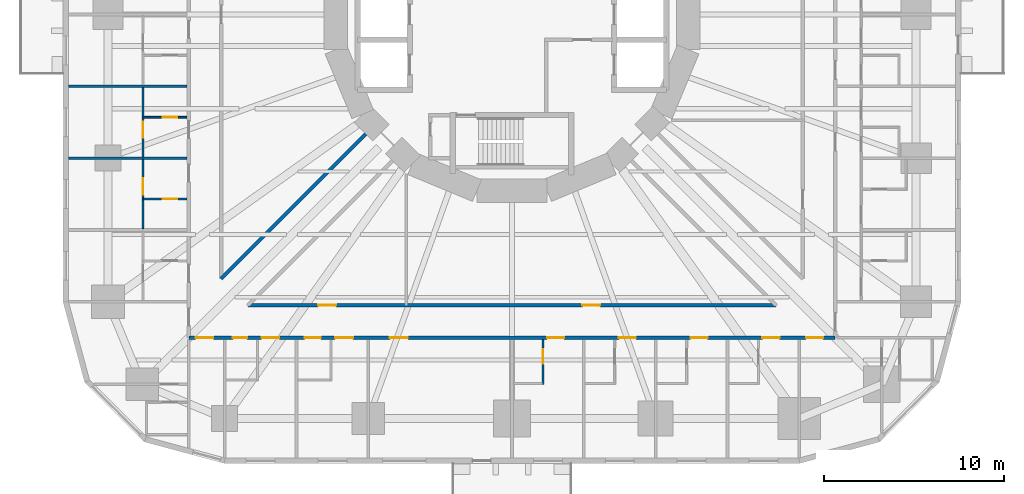
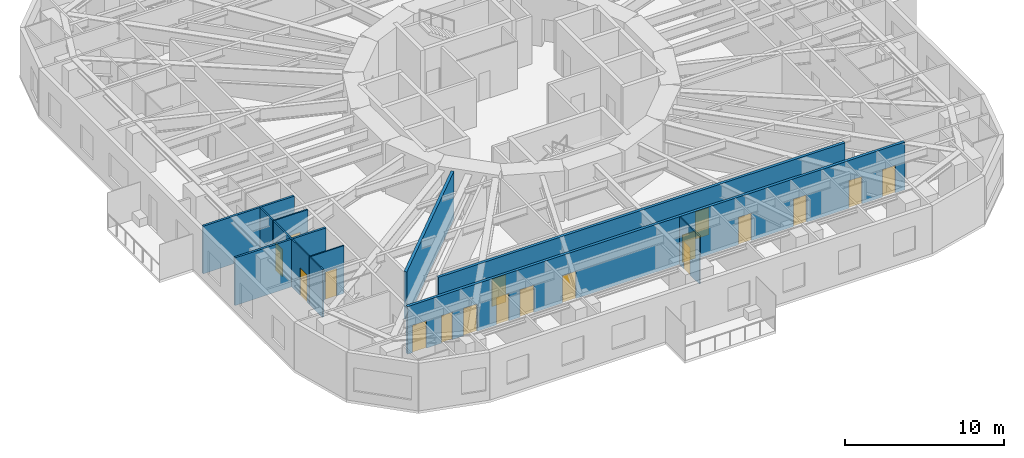
# One storey, part 5 of 14: 18 doors, 12 walls, 18 openings.
"""IFC4 building model written with IfcOpenShell, lengths in metres."""

from ifc_helpers import new_model, si_unit, direction, frame, frame_2d, origin, place, context, subcontext, project, spatial, rectangle, extrude, material, layer, layer_set, type_object, element, fill, save


model = new_model("IFC4")

# Units and contexts
model_context = context("Model", 3, precision=1e-05, world=origin(), true_north=direction((0.0, 1.0)))
body_context = subcontext(model_context, "Body", "Model", "MODEL_VIEW")
ifc_project = project(units=[si_unit("LENGTHUNIT", "METRE"), si_unit("AREAUNIT", "SQUARE_METRE"), si_unit("VOLUMEUNIT", "CUBIC_METRE"), si_unit("PLANEANGLEUNIT", "RADIAN"), si_unit("MASSUNIT", "GRAM", prefix="KILO")], contexts=[model_context])

# Site, building, storey
site_placement = place(None, origin())
site = spatial("IfcSite", under=ifc_project, at=site_placement, CompositionType="ELEMENT")
building_placement = place(site_placement, origin())
building = spatial("IfcBuilding", under=site, at=building_placement, Name="Nakasero Lantern House", CompositionType="ELEMENT")
storey_placement = place(building_placement, frame((0.0, 0.0, 50.64990234375)))
storey = spatial("IfcBuildingStorey", under=building, at=storey_placement, Name="L12", CompositionType="ELEMENT", Elevation=50.64990234375)

# Wall, openings, doors
ifc_material_1 = material(Name="Blockwork", Category="masonry")
ifc_layer_1 = layer(ifc_material_1, 0.199951171875)
ifc_layer_set_1 = layer_set([ifc_layer_1], Name="Corridor wall 200")
wall_type_1 = type_object("IfcWallType", Name="Corridor wall 200", PredefinedType="PARTITIONING", material=ifc_layer_set_1)
wall_1_placement = place(storey_placement, frame((-18.0, -18.0, 0.0), z_axis=(0.0, 0.0, 1.0), x_axis=(1.0, 0.0, 0.0)))
wall_1 = element("IfcWall", 1, at=wall_1_placement, inside=storey, type_object=wall_type_1, Name="Corridor wall L12 CW3", PredefinedType="PARTITIONING", context=body_context, shape_type="SweptSolid", body=[
    extrude(rectangle(XDim=36.0, YDim=0.199951171875, at=frame_2d((18.0, 0.0))), origin(), (0.0, 0.0, 1.0), 3.650146484375),
])
opening_1_placement = place(wall_1_placement, frame((0.375, 0.0, 0.0)))
opening_1 = element("IfcOpeningElement", 2, at=opening_1_placement, cuts=wall_1, Name="Opening D07", PredefinedType="OPENING", context=body_context, shape_type="SweptSolid", body=[
    extrude(rectangle(XDim=1.0, YDim=2.10009765625, at=frame_2d((0.5, 1.050048828125))), frame((0.0, 0.119873046875, 0.0), z_axis=(0.0, -1.0, 0.0), x_axis=(1.0, 0.0, 0.0)), (0.0, 0.0, 1.0), 0.239990234375),
])
opening_2_placement = place(wall_1_placement, frame((2.449951171875, 0.0, 0.0)))
opening_2 = element("IfcOpeningElement", 3, at=opening_2_placement, cuts=wall_1, Name="Opening D15", PredefinedType="OPENING", context=body_context, shape_type="SweptSolid", body=[
    extrude(rectangle(XDim=0.800048828125, YDim=2.10009765625, at=frame_2d((0.39990234375, 1.050048828125))), frame((0.0, 0.119873046875, 0.0), z_axis=(0.0, -1.0, 0.0), x_axis=(1.0, 0.0, 0.0)), (0.0, 0.0, 1.0), 0.239990234375),
])
opening_3_placement = place(wall_1_placement, frame((4.050048828125, 0.0, 0.0)))
opening_3 = element("IfcOpeningElement", 4, at=opening_3_placement, cuts=wall_1, Name="Opening D07", PredefinedType="OPENING", context=body_context, shape_type="SweptSolid", body=[
    extrude(rectangle(XDim=1.0, YDim=2.10009765625, at=frame_2d((0.5, 1.050048828125))), frame((0.0, 0.119873046875, 0.0), z_axis=(0.0, -1.0, 0.0), x_axis=(1.0, 0.0, 0.0)), (0.0, 0.0, 1.0), 0.239990234375),
])
opening_4_placement = place(wall_1_placement, frame((6.449951171875, 0.0, 0.0)))
opening_4 = element("IfcOpeningElement", 5, at=opening_4_placement, cuts=wall_1, Name="Opening D16", PredefinedType="OPENING", context=body_context, shape_type="SweptSolid", body=[
    extrude(rectangle(XDim=0.89990234375, YDim=2.10009765625, at=frame_2d((0.449951171875, 1.050048828125))), frame((0.0, 0.119873046875, 0.0), z_axis=(0.0, -1.0, 0.0), x_axis=(1.0, 0.0, 0.0)), (0.0, 0.0, 1.0), 0.239990234375),
])
opening_5_placement = place(wall_1_placement, frame((8.14990234375, 0.0, 0.0)))
opening_5 = element("IfcOpeningElement", 6, at=opening_5_placement, cuts=wall_1, Name="Opening D07", PredefinedType="OPENING", context=body_context, shape_type="SweptSolid", body=[
    extrude(rectangle(XDim=1.0, YDim=2.10009765625, at=frame_2d((0.5, 1.050048828125))), frame((0.0, 0.119873046875, 0.0), z_axis=(0.0, -1.0, 0.0), x_axis=(1.0, 0.0, 0.0)), (0.0, 0.0, 1.0), 0.239990234375),
])
opening_6_placement = place(wall_1_placement, frame((19.949951171875, 0.0, 0.0)))
opening_6 = element("IfcOpeningElement", 7, at=opening_6_placement, cuts=wall_1, Name="Opening D01", PredefinedType="OPENING", context=body_context, shape_type="SweptSolid", body=[
    extrude(rectangle(XDim=0.949951171875, YDim=2.10009765625, at=frame_2d((0.47509765625, 1.050048828125))), frame((0.0, 0.119873046875, 0.0), z_axis=(0.0, -1.0, 0.0), x_axis=(1.0, 0.0, 0.0)), (0.0, 0.0, 1.0), 0.239990234375),
])
opening_7_placement = place(wall_1_placement, frame((23.949951171875, 0.0, 0.0)))
opening_7 = element("IfcOpeningElement", 8, at=opening_7_placement, cuts=wall_1, Name="Opening D01", PredefinedType="OPENING", context=body_context, shape_type="SweptSolid", body=[
    extrude(rectangle(XDim=0.949951171875, YDim=2.10009765625, at=frame_2d((0.47509765625, 1.050048828125))), frame((0.0, 0.119873046875, 0.0), z_axis=(0.0, -1.0, 0.0), x_axis=(1.0, 0.0, 0.0)), (0.0, 0.0, 1.0), 0.239990234375),
])
opening_8_placement = place(wall_1_placement, frame((27.949951171875, 0.0, 0.0)))
opening_8 = element("IfcOpeningElement", 9, at=opening_8_placement, cuts=wall_1, Name="Opening D01", PredefinedType="OPENING", context=body_context, shape_type="SweptSolid", body=[
    extrude(rectangle(XDim=0.949951171875, YDim=2.10009765625, at=frame_2d((0.47509765625, 1.050048828125))), frame((0.0, 0.119873046875, 0.0), z_axis=(0.0, -1.0, 0.0), x_axis=(1.0, 0.0, 0.0)), (0.0, 0.0, 1.0), 0.239990234375),
])
opening_9_placement = place(wall_1_placement, frame((31.949951171875, 0.0, 0.0)))
opening_9 = element("IfcOpeningElement", 10, at=opening_9_placement, cuts=wall_1, Name="Opening D01", PredefinedType="OPENING", context=body_context, shape_type="SweptSolid", body=[
    extrude(rectangle(XDim=0.949951171875, YDim=2.10009765625, at=frame_2d((0.47509765625, 1.050048828125))), frame((0.0, 0.119873046875, 0.0), z_axis=(0.0, -1.0, 0.0), x_axis=(1.0, 0.0, 0.0)), (0.0, 0.0, 1.0), 0.239990234375),
])
opening_10_placement = place(wall_1_placement, frame((34.375, 0.0, 0.0)))
opening_10 = element("IfcOpeningElement", 11, at=opening_10_placement, cuts=wall_1, Name="Opening D01", PredefinedType="OPENING", context=body_context, shape_type="SweptSolid", body=[
    extrude(rectangle(XDim=0.949951171875, YDim=2.10009765625, at=frame_2d((0.47509765625, 1.050048828125))), frame((0.0, 0.119873046875, 0.0), z_axis=(0.0, -1.0, 0.0), x_axis=(1.0, 0.0, 0.0)), (0.0, 0.0, 1.0), 0.239990234375),
])
opening_11_placement = place(wall_1_placement, frame((11.199951171875, 0.0, 0.0)))
opening_11 = element("IfcOpeningElement", 12, at=opening_11_placement, cuts=wall_1, Name="Opening D03", PredefinedType="OPENING", context=body_context, shape_type="SweptSolid", body=[
    extrude(rectangle(XDim=1.0, YDim=2.10009765625, at=frame_2d((0.5, 1.050048828125))), frame((0.0, 0.119873046875, 0.0), z_axis=(0.0, -1.0, 0.0), x_axis=(1.0, 0.0, 0.0)), (0.0, 0.0, 1.0), 0.239990234375),
])
ifc_material_2 = material(Name="Timber C24", Category="wood")
door_type_1 = type_object("IfcDoorType", Name="Accessible WC door 900", OperationType="SINGLE_SWING_RIGHT", PredefinedType="DOOR", material=ifc_material_2)
door_1_placement = place(opening_4_placement, origin())
door_1 = element("IfcDoor", 13, at=door_1_placement, inside=storey, type_object=door_type_1, Name="Door L12 DS3-02", OperationType="SINGLE_SWING_LEFT", OverallHeight=2.10009765625, OverallWidth=0.89990234375, PredefinedType="DOOR", context=body_context, shape_type="SweptSolid", body=[
    extrude(rectangle(XDim=0.89990234375, YDim=2.10009765625, at=frame_2d((0.449951171875, 1.050048828125))), frame((0.0, 0.02490234375, 0.0), z_axis=(0.0, -1.0, 0.0), x_axis=(1.0, 0.0, 0.0)), (0.0, 0.0, 1.0), 0.050048828125),
])
fill(opening_4, door_1)
ifc_material_3 = material(Name="Timber C24", Category="wood")
door_type_2 = type_object("IfcDoorType", Name="Bedroom door FD30S 950", OperationType="SINGLE_SWING_LEFT", PredefinedType="DOOR", material=ifc_material_3)
door_2_placement = place(opening_6_placement, origin())
door_2 = element("IfcDoor", 14, at=door_2_placement, inside=storey, type_object=door_type_2, Name="Door L12 D3-05", OperationType="SINGLE_SWING_RIGHT", OverallHeight=2.10009765625, OverallWidth=0.949951171875, PredefinedType="DOOR", context=body_context, shape_type="SweptSolid", body=[
    extrude(rectangle(XDim=0.949951171875, YDim=2.10009765625, at=frame_2d((0.47509765625, 1.050048828125))), frame((0.0, 0.02490234375, 0.0), z_axis=(0.0, -1.0, 0.0), x_axis=(1.0, 0.0, 0.0)), (0.0, 0.0, 1.0), 0.050048828125),
])
fill(opening_6, door_2)
door_3_placement = place(opening_7_placement, origin())
door_3 = element("IfcDoor", 15, at=door_3_placement, inside=storey, type_object=door_type_2, Name="Door L12 D3-06", OperationType="SINGLE_SWING_RIGHT", OverallHeight=2.10009765625, OverallWidth=0.949951171875, PredefinedType="DOOR", context=body_context, shape_type="SweptSolid", body=[
    extrude(rectangle(XDim=0.949951171875, YDim=2.10009765625, at=frame_2d((0.47509765625, 1.050048828125))), frame((0.0, 0.02490234375, 0.0), z_axis=(0.0, -1.0, 0.0), x_axis=(1.0, 0.0, 0.0)), (0.0, 0.0, 1.0), 0.050048828125),
])
fill(opening_7, door_3)
door_4_placement = place(opening_8_placement, origin())
door_4 = element("IfcDoor", 16, at=door_4_placement, inside=storey, type_object=door_type_2, Name="Door L12 D3-07", OperationType="SINGLE_SWING_RIGHT", OverallHeight=2.10009765625, OverallWidth=0.949951171875, PredefinedType="DOOR", context=body_context, shape_type="SweptSolid", body=[
    extrude(rectangle(XDim=0.949951171875, YDim=2.10009765625, at=frame_2d((0.47509765625, 1.050048828125))), frame((0.0, 0.02490234375, 0.0), z_axis=(0.0, -1.0, 0.0), x_axis=(1.0, 0.0, 0.0)), (0.0, 0.0, 1.0), 0.050048828125),
])
fill(opening_8, door_4)
door_5_placement = place(opening_9_placement, origin())
door_5 = element("IfcDoor", 17, at=door_5_placement, inside=storey, type_object=door_type_2, Name="Door L12 D3-08", OperationType="SINGLE_SWING_RIGHT", OverallHeight=2.10009765625, OverallWidth=0.949951171875, PredefinedType="DOOR", context=body_context, shape_type="SweptSolid", body=[
    extrude(rectangle(XDim=0.949951171875, YDim=2.10009765625, at=frame_2d((0.47509765625, 1.050048828125))), frame((0.0, 0.02490234375, 0.0), z_axis=(0.0, -1.0, 0.0), x_axis=(1.0, 0.0, 0.0)), (0.0, 0.0, 1.0), 0.050048828125),
])
fill(opening_9, door_5)
door_6_placement = place(opening_10_placement, origin())
door_6 = element("IfcDoor", 18, at=door_6_placement, inside=storey, type_object=door_type_2, Name="Door L12 D3-09", OperationType="SINGLE_SWING_RIGHT", OverallHeight=2.10009765625, OverallWidth=0.949951171875, PredefinedType="DOOR", context=body_context, shape_type="SweptSolid", body=[
    extrude(rectangle(XDim=0.949951171875, YDim=2.10009765625, at=frame_2d((0.47509765625, 1.050048828125))), frame((0.0, 0.02490234375, 0.0), z_axis=(0.0, -1.0, 0.0), x_axis=(1.0, 0.0, 0.0)), (0.0, 0.0, 1.0), 0.050048828125),
])
fill(opening_10, door_6)
ifc_material_4 = material(Name="Timber C24", Category="wood")
door_type_3 = type_object("IfcDoorType", Name="Cleaner's store door FD30S 800", OperationType="SINGLE_SWING_LEFT", PredefinedType="DOOR", material=ifc_material_4)
door_7_placement = place(opening_2_placement, origin())
door_7 = element("IfcDoor", 19, at=door_7_placement, inside=storey, type_object=door_type_3, Name="Door L12 DS3-01", OperationType="SINGLE_SWING_LEFT", OverallHeight=2.10009765625, OverallWidth=0.800048828125, PredefinedType="DOOR", context=body_context, shape_type="SweptSolid", body=[
    extrude(rectangle(XDim=0.800048828125, YDim=2.10009765625, at=frame_2d((0.39990234375, 1.050048828125))), frame((0.0, 0.02490234375, 0.0), z_axis=(0.0, -1.0, 0.0), x_axis=(1.0, 0.0, 0.0)), (0.0, 0.0, 1.0), 0.050048828125),
])
fill(opening_2, door_7)
ifc_material_5 = material(Name="Timber C24", Category="wood")
door_type_4 = type_object("IfcDoorType", Name="Lounge door FD30S 1000", OperationType="SINGLE_SWING_LEFT", PredefinedType="DOOR", material=ifc_material_5)
door_8_placement = place(opening_11_placement, origin())
door_8 = element("IfcDoor", 20, at=door_8_placement, inside=storey, type_object=door_type_4, Name="Door L12 DK3", OperationType="SINGLE_SWING_LEFT", OverallHeight=2.10009765625, OverallWidth=1.0, PredefinedType="DOOR", context=body_context, shape_type="SweptSolid", body=[
    extrude(rectangle(XDim=1.0, YDim=2.10009765625, at=frame_2d((0.5, 1.050048828125))), frame((0.0, 0.02490234375, 0.0), z_axis=(0.0, -1.0, 0.0), x_axis=(1.0, 0.0, 0.0)), (0.0, 0.0, 1.0), 0.050048828125),
])
fill(opening_11, door_8)
ifc_material_6 = material(Name="Timber C24", Category="wood")
door_type_5 = type_object("IfcDoorType", Name="Room door FD30S 1000", OperationType="SINGLE_SWING_LEFT", PredefinedType="DOOR", material=ifc_material_6)
door_9_placement = place(opening_1_placement, origin())
door_9 = element("IfcDoor", 21, at=door_9_placement, inside=storey, type_object=door_type_5, Name="Door L12 D3-00", OperationType="SINGLE_SWING_LEFT", OverallHeight=2.10009765625, OverallWidth=1.0, PredefinedType="DOOR", context=body_context, shape_type="SweptSolid", body=[
    extrude(rectangle(XDim=1.0, YDim=2.10009765625, at=frame_2d((0.5, 1.050048828125))), frame((0.0, 0.02490234375, 0.0), z_axis=(0.0, -1.0, 0.0), x_axis=(1.0, 0.0, 0.0)), (0.0, 0.0, 1.0), 0.050048828125),
])
fill(opening_1, door_9)
door_10_placement = place(opening_3_placement, origin())
door_10 = element("IfcDoor", 22, at=door_10_placement, inside=storey, type_object=door_type_5, Name="Door L12 D3-01", OperationType="SINGLE_SWING_LEFT", OverallHeight=2.10009765625, OverallWidth=1.0, PredefinedType="DOOR", context=body_context, shape_type="SweptSolid", body=[
    extrude(rectangle(XDim=1.0, YDim=2.10009765625, at=frame_2d((0.5, 1.050048828125))), frame((0.0, 0.02490234375, 0.0), z_axis=(0.0, -1.0, 0.0), x_axis=(1.0, 0.0, 0.0)), (0.0, 0.0, 1.0), 0.050048828125),
])
fill(opening_3, door_10)
door_11_placement = place(opening_5_placement, origin())
door_11 = element("IfcDoor", 23, at=door_11_placement, inside=storey, type_object=door_type_5, Name="Door L12 D3-02", OperationType="SINGLE_SWING_LEFT", OverallHeight=2.10009765625, OverallWidth=1.0, PredefinedType="DOOR", context=body_context, shape_type="SweptSolid", body=[
    extrude(rectangle(XDim=1.0, YDim=2.10009765625, at=frame_2d((0.5, 1.050048828125))), frame((0.0, 0.02490234375, 0.0), z_axis=(0.0, -1.0, 0.0), x_axis=(1.0, 0.0, 0.0)), (0.0, 0.0, 1.0), 0.050048828125),
])
fill(opening_5, door_11)

wall_2_placement = place(storey_placement, frame((-14.715087890625, -16.199951171875, 0.0), z_axis=(0.0, 0.0, 1.0), x_axis=(1.0, 0.0, 0.0)))
wall_2 = element("IfcWall", 24, at=wall_2_placement, inside=storey, type_object=wall_type_1, Name="Corridor wall L12 IW3-0", PredefinedType="PARTITIONING", context=body_context, shape_type="SweptSolid", body=[
    extrude(rectangle(XDim=29.43017578125, YDim=0.199951171875, at=frame_2d((14.715087890625, 0.0))), origin(), (0.0, 0.0, 1.0), 3.650146484375),
])
opening_12_placement = place(wall_2_placement, frame((3.91455078125, 0.0, 0.0)))
opening_12 = element("IfcOpeningElement", 25, at=opening_12_placement, cuts=wall_2, Name="Opening D07", PredefinedType="OPENING", context=body_context, shape_type="SweptSolid", body=[
    extrude(rectangle(XDim=1.0, YDim=2.10009765625, at=frame_2d((0.5, 1.050048828125))), frame((0.0, 0.119873046875, 0.0), z_axis=(0.0, -1.0, 0.0), x_axis=(1.0, 0.0, 0.0)), (0.0, 0.0, 1.0), 0.239990234375),
])
opening_13_placement = place(wall_2_placement, frame((18.629638671875, 0.0, 0.0)))
opening_13 = element("IfcOpeningElement", 26, at=opening_13_placement, cuts=wall_2, Name="Opening D07", PredefinedType="OPENING", context=body_context, shape_type="SweptSolid", body=[
    extrude(rectangle(XDim=1.0, YDim=2.10009765625, at=frame_2d((0.5, 1.050048828125))), frame((0.0, 0.119873046875, 0.0), z_axis=(0.0, -1.0, 0.0), x_axis=(1.0, 0.0, 0.0)), (0.0, 0.0, 1.0), 0.239990234375),
])
door_12_placement = place(opening_12_placement, origin())
door_12 = element("IfcDoor", 27, at=door_12_placement, inside=storey, type_object=door_type_5, Name="Door L12 DI4", OperationType="SINGLE_SWING_LEFT", OverallHeight=2.10009765625, OverallWidth=1.0, PredefinedType="DOOR", context=body_context, shape_type="SweptSolid", body=[
    extrude(rectangle(XDim=1.0, YDim=2.10009765625, at=frame_2d((0.5, 1.050048828125))), frame((0.0, 0.02490234375, 0.0), z_axis=(0.0, -1.0, 0.0), x_axis=(1.0, 0.0, 0.0)), (0.0, 0.0, 1.0), 0.050048828125),
])
fill(opening_12, door_12)
door_13_placement = place(opening_13_placement, origin())
door_13 = element("IfcDoor", 28, at=door_13_placement, inside=storey, type_object=door_type_5, Name="Door L12 DI4S", OperationType="SINGLE_SWING_RIGHT", OverallHeight=2.10009765625, OverallWidth=1.0, PredefinedType="DOOR", context=body_context, shape_type="SweptSolid", body=[
    extrude(rectangle(XDim=1.0, YDim=2.10009765625, at=frame_2d((0.5, 1.050048828125))), frame((0.0, 0.02490234375, 0.0), z_axis=(0.0, -1.0, 0.0), x_axis=(1.0, 0.0, 0.0)), (0.0, 0.0, 1.0), 0.050048828125),
])
fill(opening_13, door_13)

# Wall
wall_3_placement = place(storey_placement, frame((-8.13720703125, -6.65234375, 0.0), z_axis=(0.0, 0.0, 1.0), x_axis=(-0.707106781187, -0.707106781187, 0.0)))
element("IfcWall", 29, at=wall_3_placement, inside=storey, type_object=wall_type_1, Name="Corridor wall L12 PS10b", PredefinedType="PARTITIONING", context=body_context, shape_type="SweptSolid", body=[
    extrude(rectangle(XDim=11.40234375, YDim=0.199951171875, at=frame_2d((5.701171875, 0.0))), origin(), (0.0, 0.0, 1.0), 3.650146484375),
])

# Wall, opening, door
ifc_material_7 = material(Name="Blockwork", Category="masonry")
ifc_layer_2 = layer(ifc_material_7, 0.10009765625)
ifc_layer_set_2 = layer_set([ifc_layer_2], Name="En-suite wall 100")
wall_type_2 = type_object("IfcWallType", Name="En-suite wall 100", PredefinedType="PARTITIONING", material=ifc_layer_set_2)
wall_4_placement = place(storey_placement, frame((-18.10009765625, -5.72509765625, 0.0), z_axis=(0.0, 0.0, 1.0), x_axis=(-1.0, 0.0, 0.0)))
wall_4 = element("IfcWall", 30, at=wall_4_placement, inside=storey, type_object=wall_type_2, Name="En-suite wall L12 ES2-06", PredefinedType="PARTITIONING", context=body_context, shape_type="SweptSolid", body=[
    extrude(rectangle(XDim=2.5, YDim=0.10009765625, at=frame_2d((1.25, 0.0))), origin(), (0.0, 0.0, 1.0), 3.650146484375),
])
opening_14_placement = place(wall_4_placement, frame((0.550048828125, 0.0, 0.0)))
opening_14 = element("IfcOpeningElement", 31, at=opening_14_placement, cuts=wall_4, Name="Opening D02", PredefinedType="OPENING", context=body_context, shape_type="SweptSolid", body=[
    extrude(rectangle(XDim=0.800048828125, YDim=2.10009765625, at=frame_2d((0.39990234375, 1.050048828125))), frame((0.0, 0.070068359375, 0.0), z_axis=(0.0, -1.0, 0.0), x_axis=(1.0, 0.0, 0.0)), (0.0, 0.0, 1.0), 0.14013671875),
])
ifc_material_8 = material(Name="Timber C24", Category="wood")
door_type_6 = type_object("IfcDoorType", Name="En-suite door 800", OperationType="SINGLE_SWING_RIGHT", PredefinedType="DOOR", material=ifc_material_8)
door_14_placement = place(opening_14_placement, origin())
door_14 = element("IfcDoor", 32, at=door_14_placement, inside=storey, type_object=door_type_6, Name="Door L12 DE2-06", OperationType="SINGLE_SWING_LEFT", OverallHeight=2.10009765625, OverallWidth=0.800048828125, PredefinedType="DOOR", context=body_context, shape_type="SweptSolid", body=[
    extrude(rectangle(XDim=0.800048828125, YDim=2.10009765625, at=frame_2d((0.39990234375, 1.050048828125))), frame((0.0, 0.02490234375, 0.0), z_axis=(0.0, -1.0, 0.0), x_axis=(1.0, 0.0, 0.0)), (0.0, 0.0, 1.0), 0.050048828125),
])
fill(opening_14, door_14)

# Wall
wall_5_placement = place(storey_placement, frame((-20.550048828125, -4.074951171875, 0.0), z_axis=(0.0, 0.0, 1.0), x_axis=(0.0, -1.0, 0.0)))
element("IfcWall", 33, at=wall_5_placement, inside=storey, type_object=wall_type_2, Name="En-suite wall L12 EE2-06", PredefinedType="PARTITIONING", context=body_context, shape_type="SweptSolid", body=[
    extrude(rectangle(XDim=1.60009765625, YDim=0.10009765625, at=frame_2d((0.800048828125, 0.0))), origin(), (0.0, 0.0, 1.0), 3.650146484375),
])

# Wall, opening, door
wall_6_placement = place(storey_placement, frame((-18.10009765625, -10.27490234375, 0.0), z_axis=(0.0, 0.0, 1.0), x_axis=(-1.0, 0.0, 0.0)))
wall_6 = element("IfcWall", 34, at=wall_6_placement, inside=storey, type_object=wall_type_2, Name="En-suite wall L12 ES2-07", PredefinedType="PARTITIONING", context=body_context, shape_type="SweptSolid", body=[
    extrude(rectangle(XDim=2.5, YDim=0.10009765625, at=frame_2d((1.25, 0.0))), origin(), (0.0, 0.0, 1.0), 3.650146484375),
])
opening_15_placement = place(wall_6_placement, frame((0.550048828125, 0.0, 0.0)))
opening_15 = element("IfcOpeningElement", 35, at=opening_15_placement, cuts=wall_6, Name="Opening D02", PredefinedType="OPENING", context=body_context, shape_type="SweptSolid", body=[
    extrude(rectangle(XDim=0.800048828125, YDim=2.10009765625, at=frame_2d((0.39990234375, 1.050048828125))), frame((0.0, 0.070068359375, 0.0), z_axis=(0.0, -1.0, 0.0), x_axis=(1.0, 0.0, 0.0)), (0.0, 0.0, 1.0), 0.14013671875),
])
door_15_placement = place(opening_15_placement, origin())
door_15 = element("IfcDoor", 36, at=door_15_placement, inside=storey, type_object=door_type_6, Name="Door L12 DE2-07", OperationType="SINGLE_SWING_LEFT", OverallHeight=2.10009765625, OverallWidth=0.800048828125, PredefinedType="DOOR", context=body_context, shape_type="SweptSolid", body=[
    extrude(rectangle(XDim=0.800048828125, YDim=2.10009765625, at=frame_2d((0.39990234375, 1.050048828125))), frame((0.0, 0.02490234375, 0.0), z_axis=(0.0, -1.0, 0.0), x_axis=(1.0, 0.0, 0.0)), (0.0, 0.0, 1.0), 0.050048828125),
])
fill(opening_15, door_15)

# Wall
wall_7_placement = place(storey_placement, frame((-20.550048828125, -10.324951171875, 0.0), z_axis=(0.0, 0.0, 1.0), x_axis=(0.0, -1.0, 0.0)))
element("IfcWall", 37, at=wall_7_placement, inside=storey, type_object=wall_type_2, Name="En-suite wall L12 EE2-07", PredefinedType="PARTITIONING", context=body_context, shape_type="SweptSolid", body=[
    extrude(rectangle(XDim=1.60009765625, YDim=0.10009765625, at=frame_2d((0.800048828125, 0.0))), origin(), (0.0, 0.0, 1.0), 3.650146484375),
])

# Wall, opening, door
wall_8_placement = place(storey_placement, frame((1.72509765625, -18.10009765625, 0.0), z_axis=(0.0, 0.0, 1.0), x_axis=(0.0, -1.0, 0.0)))
wall_8 = element("IfcWall", 38, at=wall_8_placement, inside=storey, type_object=wall_type_2, Name="En-suite wall L12 ES3-05", PredefinedType="PARTITIONING", context=body_context, shape_type="SweptSolid", body=[
    extrude(rectangle(XDim=2.5, YDim=0.10009765625, at=frame_2d((1.25, 0.0))), origin(), (0.0, 0.0, 1.0), 3.650146484375),
])
opening_16_placement = place(wall_8_placement, frame((0.550048828125, 0.0, 0.0)))
opening_16 = element("IfcOpeningElement", 39, at=opening_16_placement, cuts=wall_8, Name="Opening D02", PredefinedType="OPENING", context=body_context, shape_type="SweptSolid", body=[
    extrude(rectangle(XDim=0.800048828125, YDim=2.10009765625, at=frame_2d((0.39990234375, 1.050048828125))), frame((0.0, 0.070068359375, 0.0), z_axis=(0.0, -1.0, 0.0), x_axis=(1.0, 0.0, 0.0)), (0.0, 0.0, 1.0), 0.14013671875),
])
door_16_placement = place(opening_16_placement, origin())
door_16 = element("IfcDoor", 40, at=door_16_placement, inside=storey, type_object=door_type_6, Name="Door L12 DE3-05", OperationType="SINGLE_SWING_LEFT", OverallHeight=2.10009765625, OverallWidth=0.800048828125, PredefinedType="DOOR", context=body_context, shape_type="SweptSolid", body=[
    extrude(rectangle(XDim=0.800048828125, YDim=2.10009765625, at=frame_2d((0.39990234375, 1.050048828125))), frame((0.0, 0.02490234375, 0.0), z_axis=(0.0, -1.0, 0.0), x_axis=(1.0, 0.0, 0.0)), (0.0, 0.0, 1.0), 0.050048828125),
])
fill(opening_16, door_16)

wall_9_placement = place(storey_placement, frame((-20.550048828125, -5.77490234375, 0.0), z_axis=(0.0, 0.0, 1.0), x_axis=(0.0, -1.0, 0.0)))
wall_9 = element("IfcWall", 41, at=wall_9_placement, inside=storey, type_object=wall_type_2, Name="En-suite wall L12 EL2-06", PredefinedType="PARTITIONING", context=body_context, shape_type="SweptSolid", body=[
    extrude(rectangle(XDim=2.150146484375, YDim=0.10009765625, at=frame_2d((1.0751953125, 0.0))), origin(), (0.0, 0.0, 1.0), 3.650146484375),
])
opening_17_placement = place(wall_9_placement, frame((0.199951171875, 0.0, 0.0)))
opening_17 = element("IfcOpeningElement", 42, at=opening_17_placement, cuts=wall_9, Name="Opening D17", PredefinedType="OPENING", context=body_context, shape_type="SweptSolid", body=[
    extrude(rectangle(XDim=0.89990234375, YDim=2.10009765625, at=frame_2d((0.449951171875, 1.050048828125))), frame((0.0, 0.070068359375, 0.0), z_axis=(0.0, -1.0, 0.0), x_axis=(1.0, 0.0, 0.0)), (0.0, 0.0, 1.0), 0.14013671875),
])
ifc_material_9 = material(Name="Timber C24", Category="wood")
door_type_7 = type_object("IfcDoorType", Name="Bedroom door FD30S 900", OperationType="SINGLE_SWING_LEFT", PredefinedType="DOOR", material=ifc_material_9)
door_17_placement = place(opening_17_placement, origin())
door_17 = element("IfcDoor", 43, at=door_17_placement, inside=storey, type_object=door_type_7, Name="Door L12 DL2-06", OperationType="SINGLE_SWING_LEFT", OverallHeight=2.10009765625, OverallWidth=0.89990234375, PredefinedType="DOOR", context=body_context, shape_type="SweptSolid", body=[
    extrude(rectangle(XDim=0.89990234375, YDim=2.10009765625, at=frame_2d((0.449951171875, 1.050048828125))), frame((0.0, 0.02490234375, 0.0), z_axis=(0.0, -1.0, 0.0), x_axis=(1.0, 0.0, 0.0)), (0.0, 0.0, 1.0), 0.050048828125),
])
fill(opening_17, door_17)

wall_10_placement = place(storey_placement, frame((-20.550048828125, -8.074951171875, 0.0), z_axis=(0.0, 0.0, 1.0), x_axis=(0.0, -1.0, 0.0)))
wall_10 = element("IfcWall", 44, at=wall_10_placement, inside=storey, type_object=wall_type_2, Name="En-suite wall L12 EL2-07", PredefinedType="PARTITIONING", context=body_context, shape_type="SweptSolid", body=[
    extrude(rectangle(XDim=2.150146484375, YDim=0.10009765625, at=frame_2d((1.0751953125, 0.0))), origin(), (0.0, 0.0, 1.0), 3.650146484375),
])
opening_18_placement = place(wall_10_placement, frame((1.050048828125, 0.0, 0.0)))
opening_18 = element("IfcOpeningElement", 45, at=opening_18_placement, cuts=wall_10, Name="Opening D17", PredefinedType="OPENING", context=body_context, shape_type="SweptSolid", body=[
    extrude(rectangle(XDim=0.89990234375, YDim=2.10009765625, at=frame_2d((0.449951171875, 1.050048828125))), frame((0.0, 0.070068359375, 0.0), z_axis=(0.0, -1.0, 0.0), x_axis=(1.0, 0.0, 0.0)), (0.0, 0.0, 1.0), 0.14013671875),
])
door_18_placement = place(opening_18_placement, origin())
door_18 = element("IfcDoor", 46, at=door_18_placement, inside=storey, type_object=door_type_7, Name="Door L12 DL2-07", OperationType="SINGLE_SWING_RIGHT", OverallHeight=2.10009765625, OverallWidth=0.89990234375, PredefinedType="DOOR", context=body_context, shape_type="SweptSolid", body=[
    extrude(rectangle(XDim=0.89990234375, YDim=2.10009765625, at=frame_2d((0.449951171875, 1.050048828125))), frame((0.0, 0.02490234375, 0.0), z_axis=(0.0, -1.0, 0.0), x_axis=(1.0, 0.0, 0.0)), (0.0, 0.0, 1.0), 0.050048828125),
])
fill(opening_18, door_18)

# Walls
ifc_material_10 = material(Name="Blockwork", Category="masonry")
ifc_layer_3 = layer(ifc_material_10, 0.14990234375)
ifc_layer_set_3 = layer_set([ifc_layer_3], Name="Party wall 150")
wall_type_3 = type_object("IfcWallType", Name="Party wall 150", PredefinedType="PARTITIONING", material=ifc_layer_set_3)
for number, where, z_axis, x_axis, name in (
    (47, (-18.10009765625, -4.0, 0.0), (0.0, 0.0, 1.0), (-1.0, 0.0, 0.0), "Party wall L12 PW2-06"),
    (48, (-18.10009765625, -8.0, 0.0), (0.0, 0.0, 1.0), (-1.0, 0.0, 0.0), "Party wall L12 PW2-07"),
):
    element("IfcWall", number, at=place(storey_placement, frame(where, z_axis=z_axis, x_axis=x_axis)), inside=storey, type_object=wall_type_3, Name=name, PredefinedType="PARTITIONING", context=body_context, shape_type="SweptSolid", body=[
        extrude(rectangle(XDim=6.599853515625, YDim=0.14990234375, at=frame_2d((3.2998046875, 0.0))), origin(), (0.0, 0.0, 1.0), 3.650146484375),
    ])

save(model, "model.ifc")
